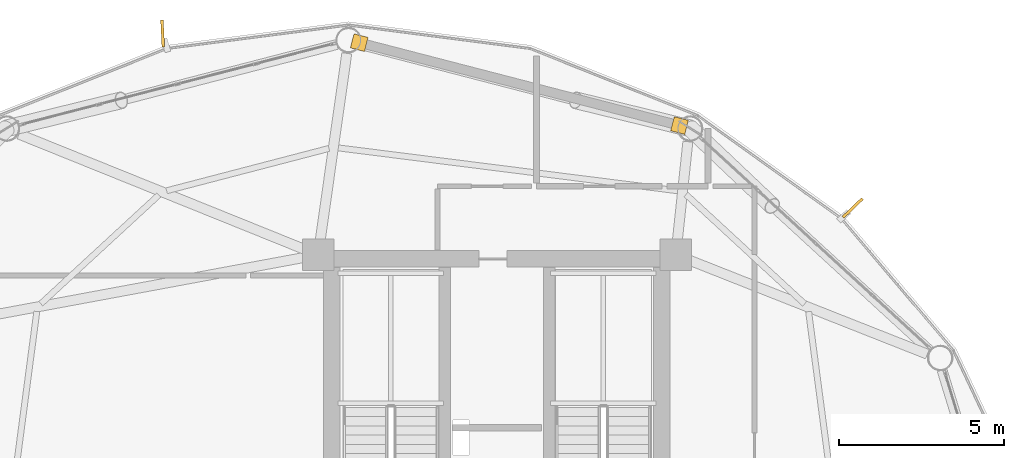
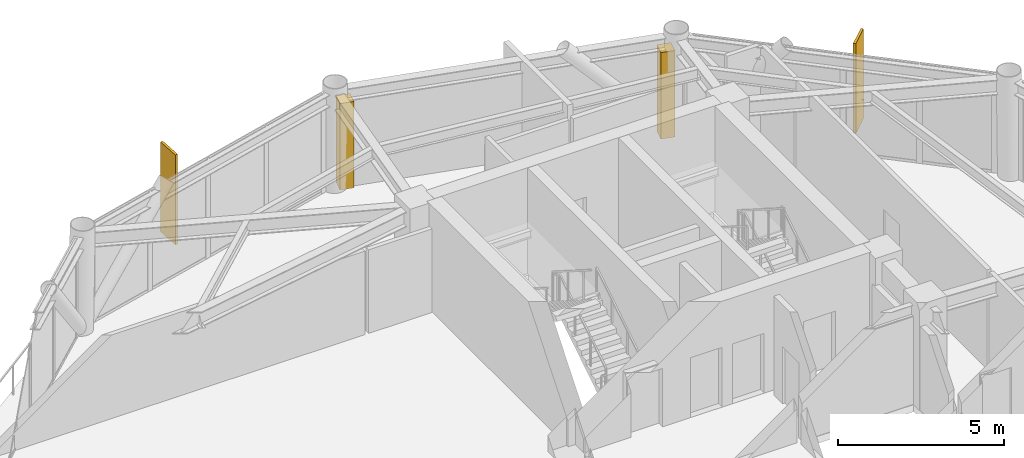
# One storey, part 25 of 25: 2 coverings, 2 shading devices.
"""IFC4 building model written with IfcOpenShell, lengths in metres."""

from ifc_helpers import new_model, si_unit, direction, frame, origin, origin_2d, place, context, subcontext, project, spatial, rectangle, extrude, source, transform, mapped, material, layer, layer_set, type_object, type_shapes, element, save


model = new_model("IFC4")

# Units and contexts
model_context = context("Model", 3, precision=1e-05, world=origin(), true_north=direction((0.0, 1.0)))
body_context = subcontext(model_context, "Body", "Model", "MODEL_VIEW")
ifc_project = project(units=[si_unit("LENGTHUNIT", "METRE"), si_unit("AREAUNIT", "SQUARE_METRE"), si_unit("VOLUMEUNIT", "CUBIC_METRE"), si_unit("PLANEANGLEUNIT", "RADIAN"), si_unit("MASSUNIT", "GRAM", prefix="KILO")], contexts=[model_context])

# Site, building, storey
site_placement = place(None, origin())
site = spatial("IfcSite", under=ifc_project, at=site_placement, CompositionType="ELEMENT")
building_placement = place(site_placement, origin())
building = spatial("IfcBuilding", under=site, at=building_placement, Name="Varnakorn Sky Granary", CompositionType="ELEMENT")
storey_placement = place(building_placement, frame((0.0, 0.0, 146.10009765625)))
storey = spatial("IfcBuildingStorey", under=building, at=storey_placement, Name="L36", CompositionType="ELEMENT", Elevation=146.10009765625)

# Shading devices
ifc_material = material(Name="Anodised Bronze Aluminium Alloy 6063-T6", Category="aluminium")
shading_device_type = type_object("IfcShadingDeviceType", Name="SH-FIN-02", PredefinedType="USERDEFINED", material=ifc_material)
shared_shape_1 = source(origin(), body_context, "Body", "SweptSolid", [
    extrude(rectangle(XDim=0.0849609375, YDim=0.820068359375, at=origin_2d()), origin(), (0.0, 0.0, 1.0), 3.300048828125),
])
type_shapes(shading_device_type, [shared_shape_1])
for number, where, z_axis, x_axis, name in (
    (1, (13.78076171875, 14.03955078125, -0.0400390625), (0.0, 0.0, 1.0), (-0.69375509598, 0.720210987699, 0.0), "Bronze Solar-Tracking Vertical Blade FIN L36-02"),
    (2, (-7.133056640625, 19.326171875, -0.0400390625), (0.0, 0.0, 1.0), (-0.998843469109, -0.04808039328, 0.0), "Bronze Solar-Tracking Vertical Blade FIN L36-04"),
):
    element("IfcShadingDevice", number, at=place(storey_placement, frame(where, z_axis=z_axis, x_axis=x_axis)), inside=storey, type_object=shading_device_type, Name=name, ObjectType="FIN", PredefinedType="USERDEFINED", context=body_context, shape_type="MappedRepresentation", body=[
        mapped(shared_shape_1, transform((0.0, 0.0, 0.0), x_axis=(1.0, 0.0, 0.0), y_axis=(0.0, 1.0, 0.0), z_axis=(0.0, 0.0, 1.0), scale=1.0)),
    ])

# Coverings
ifc_layer = layer(ifc_material, 0.050048828125, Name="Anodised Bronze Aluminium Alloy 6063-T6")
ifc_layer_set = layer_set([ifc_layer], Name="Anodised Bronze Aluminium Alloy 6063-T6")
covering_type = type_object("IfcCoveringType", Name="CV-CLAD-50", PredefinedType="CLADDING", material=ifc_layer_set)
shared_shape_2 = source(origin(), body_context, "Body", "SweptSolid", [
    extrude(rectangle(XDim=0.43994140625, YDim=0.43994140625, at=origin_2d()), origin(), (0.0, 0.0, 1.0), 3.179931640625),
])
type_shapes(covering_type, [shared_shape_2])
for number, where, z_axis, x_axis, name in (
    (3, (-1.1748046875, 19.0517578125, -0.02001953125), (0.0, 0.0, 1.0), (0.968103926078, -0.25054897388, 0.0), "Bronze Corner Pilaster Closure L36-P03-A"),
    (4, (8.5322265625, 16.53955078125, -0.02001953125), (0.0, 0.0, 1.0), (0.968103926078, -0.25054897388, 0.0), "Bronze Corner Pilaster Closure L36-P03-B"),
):
    element("IfcCovering", number, at=place(storey_placement, frame(where, z_axis=z_axis, x_axis=x_axis)), inside=storey, type_object=covering_type, Name=name, PredefinedType="CLADDING", context=body_context, shape_type="MappedRepresentation", body=[
        mapped(shared_shape_2, transform((0.0, 0.0, 0.0), x_axis=(1.0, 0.0, 0.0), y_axis=(0.0, 1.0, 0.0), z_axis=(0.0, 0.0, 1.0), scale=1.0)),
    ])

save(model, "model.ifc")
